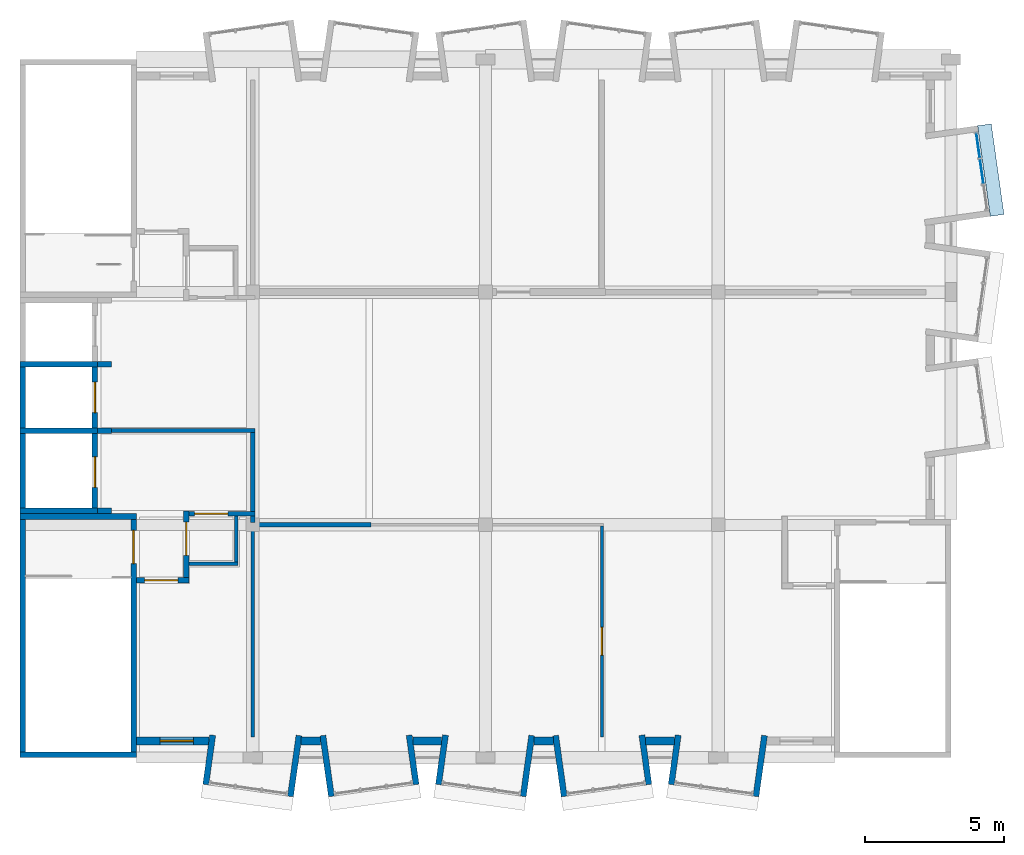
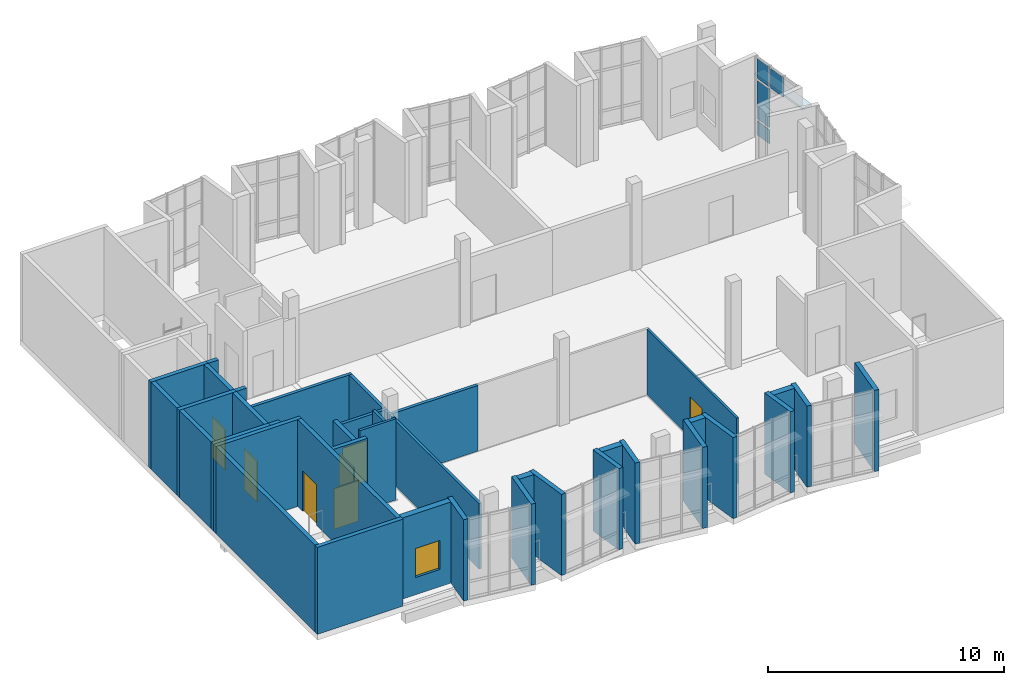
# One storey, part 10 of 15: 40 walls, 7 doors, 5 plates, 1 window, 8 openings, 1 element without a shape of its own.
"""IFC4 building model written with IfcOpenShell, lengths in metres."""

from ifc_helpers import new_model, si_unit, direction, frame, frame_2d, origin, origin_2d, place, context, subcontext, project, spatial, polyline, rectangle, outline, extrude, material, layer, layer_set, type_object, element, fill, aggregate, save


model = new_model("IFC4")

# Units and contexts
model_context = context("Model", 3, precision=1e-05, world=origin(), true_north=direction((0.0, 1.0)))
body_context = subcontext(model_context, "Body", "Model", "MODEL_VIEW")
ifc_project = project(units=[si_unit("LENGTHUNIT", "METRE"), si_unit("AREAUNIT", "SQUARE_METRE"), si_unit("VOLUMEUNIT", "CUBIC_METRE"), si_unit("PLANEANGLEUNIT", "RADIAN"), si_unit("MASSUNIT", "GRAM", prefix="KILO")], contexts=[model_context])

# Site, building, storey
site_placement = place(None, origin())
site = spatial("IfcSite", under=ifc_project, at=site_placement, CompositionType="ELEMENT")
building_placement = place(site_placement, origin())
building = spatial("IfcBuilding", under=site, at=building_placement, Name="Kiln Court Media Centre", CompositionType="ELEMENT")
storey_placement = place(building_placement, frame((0.0, 0.0, 38.10009765625)))
storey = spatial("IfcBuildingStorey", under=building, at=storey_placement, Name="L08", CompositionType="ELEMENT", Elevation=38.10009765625)

# Plate
ifc_material_1 = material(Name="Concrete C30/37", Category="concrete")
ifc_layer_1 = layer(ifc_material_1, 0.1201171875)
ifc_layer_set_1 = layer_set([ifc_layer_1], Name="Concrete C30/37 sunshade hood 120")
plate_type_1 = type_object("IfcPlateType", Name="Concrete C30/37 sunshade hood 120", PredefinedType="USERDEFINED", material=ifc_layer_set_1)
plate_1_placement = place(storey_placement, frame((0.0, 0.0, 3.0)))
element("IfcPlate", 1, at=plate_1_placement, inside=storey, type_object=plate_type_1, Name="SUNSHADE V6A-E-L08-22", ObjectType="SUNSHADE", PredefinedType="USERDEFINED", context=body_context, shape_type="SweptSolid", body=[
    extrude(outline(polyline([(35.01806640625, 19.533203125), (34.55859375, 22.801025390625), (35.0537109375, 22.87060546875), (35.51318359375, 19.602783203125), (35.01806640625, 19.533203125)])), origin(), (0.0, 0.0, 1.0), 0.119873046875),
])

# Curtain wall, plates
ifc_material_2 = material(Name="Aluminium 6063-T6", Category="aluminium")
ifc_layer_2 = layer(ifc_material_2, 0.1201171875)
ifc_layer_set_2 = layer_set([ifc_layer_2], Name="Aluminium unitised bay curtain wall")
curtain_wall_type = type_object("IfcCurtainWallType", Name="Aluminium unitised bay curtain wall", PredefinedType="USERDEFINED", material=ifc_layer_set_2)
curtain_wall_placement = place(storey_placement, origin())
curtain_wall = element("IfcCurtainWall", 2, at=curtain_wall_placement, inside=storey, type_object=curtain_wall_type, Name="BAY V6A-E-L08-22 front", ObjectType="UNITISED CURTAIN WALL", PredefinedType="USERDEFINED")
ifc_material_3 = material(Name="Aluminium insulated spandrel", Category="aluminium")
ifc_layer_3 = layer(ifc_material_3, 0.028076171875)
ifc_layer_set_3 = layer_set([ifc_layer_3], Name="Insulated spandrel panel 28")
plate_type_2 = type_object("IfcPlateType", Name="Insulated spandrel panel 28", PredefinedType="CURTAIN_PANEL", material=ifc_layer_set_3)
plate_2_placement = place(storey_placement, frame((34.578125, 22.08837890625, 0.1201171875), z_axis=(0.0, 0.0, 1.0), x_axis=(-0.139162472554, 0.990269562409, 0.0)))
plate_2 = element("IfcPlate", 3, at=plate_2_placement, type_object=plate_type_2, Name="CW8-03 panel 3.1", PredefinedType="CURTAIN_PANEL", context=body_context, shape_type="SweptSolid", body=[
    extrude(rectangle(XDim=0.86669921875, YDim=0.028076171875, at=origin_2d()), origin(), (0.0, 0.0, 1.0), 0.719970703125),
])
ifc_material_4 = material(Name="Low-E double glazing", Category="glass")
ifc_layer_4 = layer(ifc_material_4, 0.028076171875)
ifc_layer_set_4 = layer_set([ifc_layer_4], Name="Low-E double glazed panel 28")
plate_type_3 = type_object("IfcPlateType", Name="Low-E double glazed panel 28", PredefinedType="CURTAIN_PANEL", material=ifc_layer_set_4)
plate_3_placement = place(storey_placement, frame((34.708984375, 21.15576171875, 3.059814453125), z_axis=(0.0, 0.0, 1.0), x_axis=(-0.139162472554, 0.990269562409, 0.0)))
plate_3 = element("IfcPlate", 4, at=plate_3_placement, type_object=plate_type_3, Name="CW8-03 panel 2.3", PredefinedType="CURTAIN_PANEL", context=body_context, shape_type="SweptSolid", body=[
    extrude(rectangle(XDim=0.896728515625, YDim=0.028076171875, at=origin_2d()), origin(), (0.0, 0.0, 1.0), 1.02001953125),
])
plate_4_placement = place(storey_placement, frame((34.578125, 22.08837890625, 0.9599609375), z_axis=(0.0, 0.0, 1.0), x_axis=(-0.139162472554, 0.990269562409, 0.0)))
plate_4 = element("IfcPlate", 5, at=plate_4_placement, type_object=plate_type_3, Name="CW8-03 panel 3.2", PredefinedType="CURTAIN_PANEL", context=body_context, shape_type="SweptSolid", body=[
    extrude(rectangle(XDim=0.86669921875, YDim=0.028076171875, at=origin_2d()), origin(), (0.0, 0.0, 1.0), 1.97998046875),
])
plate_5_placement = place(storey_placement, frame((34.578125, 22.08837890625, 3.059814453125), z_axis=(0.0, 0.0, 1.0), x_axis=(-0.139162472554, 0.990269562409, 0.0)))
plate_5 = element("IfcPlate", 6, at=plate_5_placement, type_object=plate_type_3, Name="CW8-03 panel 3.3", PredefinedType="CURTAIN_PANEL", context=body_context, shape_type="SweptSolid", body=[
    extrude(rectangle(XDim=0.86669921875, YDim=0.028076171875, at=origin_2d()), origin(), (0.0, 0.0, 1.0), 1.02001953125),
])
aggregate(curtain_wall, [plate_3, plate_2, plate_4, plate_5])

# Wall, opening, door
ifc_material_5 = material(Name="Concrete block masonry M7.5", Category="masonry")
ifc_layer_5 = layer(ifc_material_5, 0.14990234375)
ifc_layer_set_5 = layer_set([ifc_layer_5], Name="Block lobby wall 150 EI 120")
wall_type_1 = type_object("IfcWallType", Name="Block lobby wall 150 EI 120", PredefinedType="SOLIDWALL", material=ifc_layer_set_5)
wall_1_placement = place(storey_placement, frame((6.10009765625, 8.800048828125, 0.0), z_axis=(0.0, 0.0, 1.0), x_axis=(1.0, 0.0, 0.0)))
wall_1 = element("IfcWall", 7, at=wall_1_placement, inside=storey, type_object=wall_type_1, Name="L08 block lobby wall", PredefinedType="SOLIDWALL", context=body_context, shape_type="SweptSolid", body=[
    extrude(rectangle(XDim=2.375, YDim=0.14990234375, at=frame_2d((1.1875, 0.0))), origin(), (0.0, 0.0, 1.0), 3.39990234375),
])
opening_1_placement = place(wall_1_placement, frame((0.199951171875, 0.0, 0.0)))
opening_1 = element("IfcOpeningElement", 8, at=opening_1_placement, cuts=wall_1, Name="Opening D8012", PredefinedType="OPENING", context=body_context, shape_type="SweptSolid", body=[
    extrude(rectangle(XDim=1.199951171875, YDim=2.10009765625, at=frame_2d((0.60009765625, 1.050048828125))), frame((0.0, 0.0849609375, 0.0), z_axis=(0.0, -1.0, 0.0), x_axis=(1.0, 0.0, 0.0)), (0.0, 0.0, 1.0), 0.169921875),
])
ifc_material_6 = material(Name="Steel S275", Category="steel")
door_type_1 = type_object("IfcDoorType", Name="Steel lobby door 1200 x 2100 FD120", OperationType="SINGLE_SWING_LEFT", PredefinedType="DOOR", material=ifc_material_6)
door_1_placement = place(opening_1_placement, origin())
door_1 = element("IfcDoor", 9, at=door_1_placement, inside=storey, type_object=door_type_1, Name="Wheelchair Refuge / Fire-fighting Lift Lobby", OperationType="SINGLE_SWING_RIGHT", OverallHeight=2.10009765625, OverallWidth=1.199951171875, PredefinedType="DOOR", context=body_context, shape_type="SweptSolid", body=[
    extrude(rectangle(XDim=1.199951171875, YDim=2.10009765625, at=frame_2d((0.60009765625, 1.050048828125))), frame((0.0, 0.02490234375, 0.0), z_axis=(0.0, -1.0, 0.0), x_axis=(1.0, 0.0, 0.0)), (0.0, 0.0, 1.0), 0.050048828125),
])
fill(opening_1, door_1)

# Walls
wall_2_placement = place(storey_placement, frame((3.300048828125, 11.800048828125, 0.0), z_axis=(0.0, 0.0, 1.0), x_axis=(1.0, 0.0, 0.0)))
element("IfcWall", 10, at=wall_2_placement, inside=storey, type_object=wall_type_1, Name="L08 block lobby wall", PredefinedType="SOLIDWALL", context=body_context, shape_type="SweptSolid", body=[
    extrude(rectangle(XDim=5.175048828125, YDim=0.14990234375, at=frame_2d((2.58740234375, 0.0))), origin(), (0.0, 0.0, 1.0), 3.39990234375),
])
wall_3_placement = place(storey_placement, frame((8.39990234375, 8.875, 0.0), z_axis=(0.0, 0.0, 1.0), x_axis=(0.0, 1.0, 0.0)))
element("IfcWall", 11, at=wall_3_placement, inside=storey, type_object=wall_type_1, Name="L08 block lobby wall", PredefinedType="SOLIDWALL", context=body_context, shape_type="SweptSolid", body=[
    extrude(rectangle(XDim=2.85009765625, YDim=0.14990234375, at=frame_2d((1.425048828125, 0.0))), origin(), (0.0, 0.0, 1.0), 3.39990234375),
])

# Wall, opening, door
ifc_material_7 = material(Name="Concrete block masonry M10", Category="masonry")
ifc_layer_6 = layer(ifc_material_7, 0.199951171875)
ifc_layer_set_6 = layer_set([ifc_layer_6], Name="Block vestibule wall 200 EI 240")
wall_type_2 = type_object("IfcWallType", Name="Block vestibule wall 200 EI 240", PredefinedType="SOLIDWALL", material=ifc_layer_set_6)
wall_4_placement = place(storey_placement, frame((4.2001953125, 6.39990234375, 0.0), z_axis=(0.0, 0.0, 1.0), x_axis=(1.0, 0.0, 0.0)))
wall_4 = element("IfcWall", 12, at=wall_4_placement, inside=storey, type_object=wall_type_2, Name="L08 block vestibule wall", PredefinedType="SOLIDWALL", context=body_context, shape_type="SweptSolid", body=[
    extrude(rectangle(XDim=1.89990234375, YDim=0.199951171875, at=frame_2d((0.949951171875, 0.0))), origin(), (0.0, 0.0, 1.0), 4.199951171875),
])
opening_2_placement = place(wall_4_placement, frame((0.2998046875, 0.0, 0.0)))
opening_2 = element("IfcOpeningElement", 13, at=opening_2_placement, cuts=wall_4, Name="Opening D8006", PredefinedType="OPENING", context=body_context, shape_type="SweptSolid", body=[
    extrude(rectangle(XDim=1.199951171875, YDim=2.10009765625, at=frame_2d((0.60009765625, 1.050048828125))), frame((0.0, 0.10986328125, 0.0), z_axis=(0.0, -1.0, 0.0), x_axis=(1.0, 0.0, 0.0)), (0.0, 0.0, 1.0), 0.219970703125),
])
ifc_material_8 = material(Name="Steel S275", Category="steel")
door_type_2 = type_object("IfcDoorType", Name="Steel vestibule door 1200 x 2100 FD180", OperationType="SINGLE_SWING_LEFT", PredefinedType="DOOR", material=ifc_material_8)
door_2_placement = place(opening_2_placement, origin())
door_2 = element("IfcDoor", 14, at=door_2_placement, inside=storey, type_object=door_type_2, Name="Toilets and Accessible WC / Stair 1 Vestibule", OperationType="SINGLE_SWING_LEFT", OverallHeight=2.10009765625, OverallWidth=1.199951171875, PredefinedType="DOOR", context=body_context, shape_type="SweptSolid", body=[
    extrude(rectangle(XDim=1.199951171875, YDim=2.10009765625, at=frame_2d((0.60009765625, 1.050048828125))), frame((0.0, 0.02490234375, 0.0), z_axis=(0.0, -1.0, 0.0), x_axis=(1.0, 0.0, 0.0)), (0.0, 0.0, 1.0), 0.050048828125),
])
fill(opening_2, door_2)

wall_5_placement = place(storey_placement, frame((6.0, 6.5, 0.0), z_axis=(0.0, 0.0, 1.0), x_axis=(0.0, 1.0, 0.0)))
wall_5 = element("IfcWall", 15, at=wall_5_placement, inside=storey, type_object=wall_type_2, Name="L08 block vestibule wall", PredefinedType="SOLIDWALL", context=body_context, shape_type="SweptSolid", body=[
    extrude(rectangle(XDim=2.39990234375, YDim=0.199951171875, at=frame_2d((1.199951171875, 0.0))), origin(), (0.0, 0.0, 1.0), 3.599853515625),
])
opening_3_placement = place(wall_5_placement, frame((0.800048828125, 0.0, 0.0)))
opening_3 = element("IfcOpeningElement", 16, at=opening_3_placement, cuts=wall_5, Name="Opening D8007", PredefinedType="OPENING", context=body_context, shape_type="SweptSolid", body=[
    extrude(rectangle(XDim=1.199951171875, YDim=2.10009765625, at=frame_2d((0.60009765625, 1.050048828125))), frame((0.0, 0.10986328125, 0.0), z_axis=(0.0, -1.0, 0.0), x_axis=(1.0, 0.0, 0.0)), (0.0, 0.0, 1.0), 0.219970703125),
])
door_3_placement = place(opening_3_placement, origin())
door_3 = element("IfcDoor", 17, at=door_3_placement, inside=storey, type_object=door_type_2, Name="Stair 1 Vestibule / Wheelchair Refuge", OperationType="SINGLE_SWING_RIGHT", OverallHeight=2.10009765625, OverallWidth=1.199951171875, PredefinedType="DOOR", context=body_context, shape_type="SweptSolid", body=[
    extrude(rectangle(XDim=1.199951171875, YDim=2.10009765625, at=frame_2d((0.60009765625, 1.050048828125))), frame((0.0, 0.02490234375, 0.0), z_axis=(0.0, -1.0, 0.0), x_axis=(1.0, 0.0, 0.0)), (0.0, 0.0, 1.0), 0.050048828125),
])
fill(opening_3, door_3)

# Walls
ifc_material_9 = material(Name="Brick masonry facing leaf with RC backing", Category="masonry")
ifc_layer_7 = layer(ifc_material_9, 0.215087890625)
ifc_layer_set_7 = layer_set([ifc_layer_7], Name="Brick masonry bay cheek wall 215")
wall_type_3 = type_object("IfcWallType", Name="Brick masonry bay cheek wall 215", PredefinedType="SOLIDWALL", material=ifc_layer_set_7)
wall_6_placement = place(storey_placement, frame((6.9560546875, 0.808837890625, 0.0), z_axis=(0.0, 0.0, 1.0), x_axis=(-0.139161311926, -0.990269725511, 0.0)))
element("IfcWall", 18, at=wall_6_placement, inside=storey, type_object=wall_type_3, Name="BAY V6A-S-L08-55 cheek L", PredefinedType="SOLIDWALL", context=body_context, shape_type="SweptSolid", body=[
    extrude(rectangle(XDim=1.800048828125, YDim=0.215087890625, at=frame_2d((0.89990234375, 0.0))), origin(), (0.0, 0.0, 1.0), 4.199951171875),
])
for number, where, z_axis, x_axis, name in (
    (19, (10.0693359375, 0.794921875, 0.0), (0.0, 0.0, 1.0), (-0.139141913905, -0.990272451295, 0.0), "BAY V6A-S-L08-55 cheek R"),
    (20, (10.9306640625, 0.794921875, 0.0), (0.0, 0.0, 1.0), (0.139141913905, -0.990272451295, 0.0), "BAY V6A-S-L08-56 cheek L"),
):
    element("IfcWall", number, at=place(storey_placement, frame(where, z_axis=z_axis, x_axis=x_axis)), inside=storey, type_object=wall_type_3, Name=name, PredefinedType="SOLIDWALL", context=body_context, shape_type="SweptSolid", body=[
        extrude(rectangle(XDim=2.219482421875, YDim=0.215087890625, at=frame_2d((1.10986328125, 0.0))), origin(), (0.0, 0.0, 1.0), 4.199951171875),
    ])
for number, where, z_axis, x_axis, name in (
    (21, (14.0439453125, 0.808837890625, 0.0), (0.0, 0.0, 1.0), (0.139161311926, -0.990269725511, 0.0), "BAY V6A-S-L08-56 cheek R"),
    (22, (15.35595703125, 0.808837890625, 0.0), (0.0, 0.0, 1.0), (-0.139161311926, -0.990269725511, 0.0), "BAY V6A-S-L08-57 cheek L"),
):
    element("IfcWall", number, at=place(storey_placement, frame(where, z_axis=z_axis, x_axis=x_axis)), inside=storey, type_object=wall_type_3, Name=name, PredefinedType="SOLIDWALL", context=body_context, shape_type="SweptSolid", body=[
        extrude(rectangle(XDim=1.800048828125, YDim=0.215087890625, at=frame_2d((0.89990234375, 0.0))), origin(), (0.0, 0.0, 1.0), 4.199951171875),
    ])
wall_7_placement = place(storey_placement, frame((18.469482421875, 0.794921875, 0.0), z_axis=(0.0, 0.0, 1.0), x_axis=(-0.139249775508, -0.99025728981, 0.0)))
element("IfcWall", 23, at=wall_7_placement, inside=storey, type_object=wall_type_3, Name="BAY V6A-S-L08-57 cheek R", PredefinedType="SOLIDWALL", context=body_context, shape_type="SweptSolid", body=[
    extrude(rectangle(XDim=2.2197265625, YDim=0.215087890625, at=frame_2d((1.10986328125, 0.0))), origin(), (0.0, 0.0, 1.0), 4.199951171875),
])
wall_8_placement = place(storey_placement, frame((19.33056640625, 0.794921875, 0.0), z_axis=(0.0, 0.0, 1.0), x_axis=(0.139141913905, -0.990272451295, 0.0)))
element("IfcWall", 24, at=wall_8_placement, inside=storey, type_object=wall_type_3, Name="BAY V6A-S-L08-58 cheek L", PredefinedType="SOLIDWALL", context=body_context, shape_type="SweptSolid", body=[
    extrude(rectangle(XDim=2.219482421875, YDim=0.215087890625, at=frame_2d((1.10986328125, 0.0))), origin(), (0.0, 0.0, 1.0), 4.199951171875),
])
for number, where, z_axis, x_axis, name in (
    (25, (22.444091796875, 0.808837890625, 0.0), (0.0, 0.0, 1.0), (0.139161311926, -0.990269725511, 0.0), "BAY V6A-S-L08-58 cheek R"),
    (26, (23.756103515625, 0.808837890625, 0.0), (0.0, 0.0, 1.0), (-0.139161311926, -0.990269725511, 0.0), "BAY V6A-S-L08-59 cheek L"),
):
    element("IfcWall", number, at=place(storey_placement, frame(where, z_axis=z_axis, x_axis=x_axis)), inside=storey, type_object=wall_type_3, Name=name, PredefinedType="SOLIDWALL", context=body_context, shape_type="SweptSolid", body=[
        extrude(rectangle(XDim=1.800048828125, YDim=0.215087890625, at=frame_2d((0.89990234375, 0.0))), origin(), (0.0, 0.0, 1.0), 4.199951171875),
    ])
wall_9_placement = place(storey_placement, frame((26.869384765625, 0.794921875, 0.0), z_axis=(0.0, 0.0, 1.0), x_axis=(-0.139141913905, -0.990272451295, 0.0)))
element("IfcWall", 27, at=wall_9_placement, inside=storey, type_object=wall_type_3, Name="BAY V6A-S-L08-59 cheek R", PredefinedType="SOLIDWALL", context=body_context, shape_type="SweptSolid", body=[
    extrude(rectangle(XDim=2.219482421875, YDim=0.215087890625, at=frame_2d((1.10986328125, 0.0))), origin(), (0.0, 0.0, 1.0), 4.199951171875),
])

# Wall, opening, window
ifc_material_10 = material(Name="Brick masonry facing leaf with RC backing", Category="masonry")
ifc_layer_8 = layer(ifc_material_10, 0.300048828125)
ifc_layer_set_8 = layer_set([ifc_layer_8], Name="Brick masonry cavity wall 300")
wall_type_4 = type_object("IfcWallType", Name="Brick masonry cavity wall 300", PredefinedType="SOLIDWALL", material=ifc_layer_set_8)
wall_10_placement = place(storey_placement, frame((6.818115234375, 0.60009765625, 0.0), z_axis=(0.0, 0.0, 1.0), x_axis=(-1.0, 0.0, 0.0)))
wall_10 = element("IfcWall", 28, at=wall_10_placement, inside=storey, type_object=wall_type_4, Name="V6A-S facade L08 3039", PredefinedType="SOLIDWALL", context=body_context, shape_type="SweptSolid", body=[
    extrude(rectangle(XDim=2.617919921875, YDim=0.300048828125, at=frame_2d((1.30908203125, 0.0))), origin(), (0.0, 0.0, 1.0), 4.199951171875),
])
opening_4_placement = place(wall_10_placement, frame((0.55908203125, 0.0, 0.89990234375)))
opening_4 = element("IfcOpeningElement", 29, at=opening_4_placement, cuts=wall_10, Name="Opening WN8005", PredefinedType="OPENING", context=body_context, shape_type="SweptSolid", body=[
    extrude(rectangle(XDim=1.199951171875, YDim=1.5, at=frame_2d((0.60009765625, 0.75))), frame((0.0, 0.159912109375, 0.0), z_axis=(0.0, -1.0, 0.0), x_axis=(1.0, 0.0, 0.0)), (0.0, 0.0, 1.0), 0.320068359375),
])
ifc_material_11 = material(Name="Aluminium 6063-T6", Category="aluminium")
window_type = type_object("IfcWindowType", Name="Aluminium window 1200x1500", PartitioningType="DOUBLE_PANEL_VERTICAL", PredefinedType="WINDOW", material=ifc_material_11)
window_placement = place(opening_4_placement, origin())
window = element("IfcWindow", 30, at=window_placement, inside=storey, type_object=window_type, Name="WB window WN8005", OverallHeight=1.5, OverallWidth=1.199951171875, PartitioningType="SINGLE_PANEL", PredefinedType="WINDOW", context=body_context, shape_type="SweptSolid", body=[
    extrude(rectangle(XDim=1.199951171875, YDim=1.5, at=frame_2d((0.60009765625, 0.75))), frame((0.0, 0.030029296875, 0.0), z_axis=(0.0, -1.0, 0.0), x_axis=(1.0, 0.0, 0.0)), (0.0, 0.0, 1.0), 0.06005859375),
])
fill(opening_4, window)

# Walls
wall_11_placement = place(storey_placement, frame((10.849609375, 0.60009765625, 0.0), z_axis=(0.0, 0.0, 1.0), x_axis=(-1.0, 0.0, 0.0)))
element("IfcWall", 31, at=wall_11_placement, inside=storey, type_object=wall_type_4, Name="V6A-S facade L08 3040", PredefinedType="SOLIDWALL", context=body_context, shape_type="SweptSolid", body=[
    extrude(rectangle(XDim=0.69921875, YDim=0.300048828125, at=frame_2d((0.349609375, 0.0))), origin(), (0.0, 0.0, 1.0), 4.199951171875),
])
wall_12_placement = place(storey_placement, frame((15.218017578125, 0.60009765625, 0.0), z_axis=(0.0, 0.0, 1.0), x_axis=(-1.0, 0.0, 0.0)))
element("IfcWall", 32, at=wall_12_placement, inside=storey, type_object=wall_type_4, Name="V6A-S facade L08 3041", PredefinedType="SOLIDWALL", context=body_context, shape_type="SweptSolid", body=[
    extrude(rectangle(XDim=1.0361328125, YDim=0.300048828125, at=frame_2d((0.51806640625, 0.0))), origin(), (0.0, 0.0, 1.0), 4.199951171875),
])
wall_13_placement = place(storey_placement, frame((19.24951171875, 0.60009765625, 0.0), z_axis=(0.0, 0.0, 1.0), x_axis=(-1.0, 0.0, 0.0)))
element("IfcWall", 33, at=wall_13_placement, inside=storey, type_object=wall_type_4, Name="V6A-S facade L08 3042", PredefinedType="SOLIDWALL", context=body_context, shape_type="SweptSolid", body=[
    extrude(rectangle(XDim=0.698974609375, YDim=0.300048828125, at=frame_2d((0.349609375, 0.0))), origin(), (0.0, 0.0, 1.0), 4.199951171875),
])
wall_14_placement = place(storey_placement, frame((23.6181640625, 0.60009765625, 0.0), z_axis=(0.0, 0.0, 1.0), x_axis=(-1.0, 0.0, 0.0)))
element("IfcWall", 34, at=wall_14_placement, inside=storey, type_object=wall_type_4, Name="V6A-S facade L08 3043", PredefinedType="SOLIDWALL", context=body_context, shape_type="SweptSolid", body=[
    extrude(rectangle(XDim=1.036376953125, YDim=0.300048828125, at=frame_2d((0.51806640625, 0.0))), origin(), (0.0, 0.0, 1.0), 4.199951171875),
])
ifc_material_12 = material(Name="Concrete C40/50", Category="concrete")
ifc_layer_9 = layer(ifc_material_12, 0.199951171875)
ifc_layer_set_9 = layer_set([ifc_layer_9], Name="Concrete C40/50 shear wall 200")
wall_type_5 = type_object("IfcWallType", Name="Concrete C40/50 shear wall 200", PredefinedType="SHEAR", material=ifc_layer_set_9)
for number, where, z_axis, x_axis, name in (
    (35, (4.199951171875, 0.10009765625, 0.0), (0.0, 0.0, 1.0), (-1.0, 0.0, 0.0), "L08-W-1000"),
    (36, (0.00048828125, 8.699951171875, 0.0), (0.0, 0.0, 1.0), (1.0, 0.0, 0.0), "L08-W-1001"),
):
    element("IfcWall", number, at=place(storey_placement, frame(where, z_axis=z_axis, x_axis=x_axis)), inside=storey, type_object=wall_type_5, Name=name, PredefinedType="SHEAR", context=body_context, shape_type="SweptSolid", body=[
        extrude(rectangle(XDim=4.199462890625, YDim=0.199951171875, at=frame_2d((2.099609375, 0.0))), origin(), (0.0, 0.0, 1.0), 4.5),
    ])
wall_15_placement = place(storey_placement, frame((0.100341796875, 0.199951171875, 0.0), z_axis=(0.0, 0.0, 1.0), x_axis=(0.0, 1.0, 0.0)))
element("IfcWall", 37, at=wall_15_placement, inside=storey, type_object=wall_type_5, Name="L08-W-1002", PredefinedType="SHEAR", context=body_context, shape_type="SweptSolid", body=[
    extrude(rectangle(XDim=8.400146484375, YDim=0.199951171875, at=frame_2d((4.2001953125, 0.0))), origin(), (0.0, 0.0, 1.0), 4.5),
])

# Wall, opening, door
wall_16_placement = place(storey_placement, frame((4.10009765625, 8.60009765625, 0.0), z_axis=(0.0, 0.0, 1.0), x_axis=(0.0, -1.0, 0.0)))
wall_16 = element("IfcWall", 38, at=wall_16_placement, inside=storey, type_object=wall_type_5, Name="L08-W-1003", PredefinedType="SHEAR", context=body_context, shape_type="SweptSolid", body=[
    extrude(rectangle(XDim=8.400146484375, YDim=0.199951171875, at=frame_2d((4.2001953125, 0.0))), origin(), (0.0, 0.0, 1.0), 4.5),
])
opening_5_placement = place(wall_16_placement, frame((0.400146484375, 0.0, 0.0)))
opening_5 = element("IfcOpeningElement", 39, at=opening_5_placement, cuts=wall_16, Name="Opening D8001", PredefinedType="OPENING", context=body_context, shape_type="SweptSolid", body=[
    extrude(rectangle(XDim=1.199951171875, YDim=2.10009765625, at=frame_2d((0.60009765625, 1.050048828125))), frame((0.0, 0.10986328125, 0.0), z_axis=(0.0, -1.0, 0.0), x_axis=(1.0, 0.0, 0.0)), (0.0, 0.0, 1.0), 0.219970703125),
])
ifc_material_13 = material(Name="Steel S275", Category="steel")
door_type_3 = type_object("IfcDoorType", Name="Steel stair door 1200 x 2100 FD180", OperationType="SINGLE_SWING_LEFT", PredefinedType="DOOR", material=ifc_material_13)
door_4_placement = place(opening_5_placement, origin())
door_4 = element("IfcDoor", 40, at=door_4_placement, inside=storey, type_object=door_type_3, Name="Stair 1 / Stair 1 Vestibule", OperationType="SINGLE_SWING_RIGHT", OverallHeight=2.10009765625, OverallWidth=1.199951171875, PredefinedType="DOOR", context=body_context, shape_type="SweptSolid", body=[
    extrude(rectangle(XDim=1.199951171875, YDim=2.10009765625, at=frame_2d((0.60009765625, 1.050048828125))), frame((0.0, 0.02490234375, 0.0), z_axis=(0.0, -1.0, 0.0), x_axis=(1.0, 0.0, 0.0)), (0.0, 0.0, 1.0), 0.050048828125),
])
fill(opening_5, door_4)

# Walls
for number, where, z_axis, x_axis, name in (
    (41, (2.800048828125, 8.89990234375, 0.0), (0.0, 0.0, 1.0), (-1.0, 0.0, 0.0), "L08-W-1012"),
    (42, (0.00048828125, 11.800048828125, 0.0), (0.0, 0.0, 1.0), (1.0, 0.0, 0.0), "L08-W-1013"),
):
    element("IfcWall", number, at=place(storey_placement, frame(where, z_axis=z_axis, x_axis=x_axis)), inside=storey, type_object=wall_type_5, Name=name, PredefinedType="SHEAR", context=body_context, shape_type="SweptSolid", body=[
        extrude(rectangle(XDim=2.799560546875, YDim=0.199951171875, at=frame_2d((1.39990234375, 0.0))), origin(), (0.0, 0.0, 1.0), 4.5),
    ])
wall_17_placement = place(storey_placement, frame((0.100341796875, 9.0, 0.0), z_axis=(0.0, 0.0, 1.0), x_axis=(0.0, 1.0, 0.0)))
element("IfcWall", 43, at=wall_17_placement, inside=storey, type_object=wall_type_5, Name="L08-W-1014", PredefinedType="SHEAR", context=body_context, shape_type="SweptSolid", body=[
    extrude(rectangle(XDim=2.699951171875, YDim=0.199951171875, at=frame_2d((1.35009765625, 0.0))), origin(), (0.0, 0.0, 1.0), 4.5),
])

# Wall, opening, door
wall_18_placement = place(storey_placement, frame((2.699951171875, 11.699951171875, 0.0), z_axis=(0.0, 0.0, 1.0), x_axis=(0.0, -1.0, 0.0)))
wall_18 = element("IfcWall", 44, at=wall_18_placement, inside=storey, type_object=wall_type_5, Name="L08-W-1015", PredefinedType="SHEAR", context=body_context, shape_type="SweptSolid", body=[
    extrude(rectangle(XDim=2.699951171875, YDim=0.199951171875, at=frame_2d((1.35009765625, 0.0))), origin(), (0.0, 0.0, 1.0), 4.5),
])
opening_6_placement = place(wall_18_placement, frame((0.85009765625, 0.0, 0.0)))
opening_6 = element("IfcOpeningElement", 45, at=opening_6_placement, cuts=wall_18, Name="Opening LD801", PredefinedType="OPENING", context=body_context, shape_type="SweptSolid", body=[
    extrude(rectangle(XDim=1.10009765625, YDim=2.10009765625, at=frame_2d((0.550048828125, 1.050048828125))), frame((0.0, 0.10986328125, 0.0), z_axis=(0.0, -1.0, 0.0), x_axis=(1.0, 0.0, 0.0)), (0.0, 0.0, 1.0), 0.219970703125),
])
ifc_material_14 = material(Name="Stainless steel", Category="steel")
door_type_4 = type_object("IfcDoorType", Name="Firefighting lift landing door 1100 x 2100 FD120", OperationType="SLIDING_TO_LEFT", PredefinedType="DOOR", material=ifc_material_14)
door_5_placement = place(opening_6_placement, origin())
door_5 = element("IfcDoor", 46, at=door_5_placement, inside=storey, type_object=door_type_4, Name="LF-01 landing door L08", OperationType="SLIDING_TO_LEFT", OverallHeight=2.10009765625, OverallWidth=1.10009765625, PredefinedType="DOOR", context=body_context, shape_type="SweptSolid", body=[
    extrude(rectangle(XDim=1.10009765625, YDim=2.10009765625, at=frame_2d((0.550048828125, 1.050048828125))), frame((0.0, 0.02490234375, 0.0), z_axis=(0.0, -1.0, 0.0), x_axis=(1.0, 0.0, 0.0)), (0.0, 0.0, 1.0), 0.050048828125),
])
fill(opening_6, door_5)

# Walls
wall_19_placement = place(storey_placement, frame((0.00048828125, 14.199951171875, 0.0), z_axis=(0.0, 0.0, 1.0), x_axis=(1.0, 0.0, 0.0)))
element("IfcWall", 47, at=wall_19_placement, inside=storey, type_object=wall_type_5, Name="L08-W-1016", PredefinedType="SHEAR", context=body_context, shape_type="SweptSolid", body=[
    extrude(rectangle(XDim=2.799560546875, YDim=0.199951171875, at=frame_2d((1.39990234375, 0.0))), origin(), (0.0, 0.0, 1.0), 4.5),
])
wall_20_placement = place(storey_placement, frame((0.100341796875, 11.89990234375, 0.0), z_axis=(0.0, 0.0, 1.0), x_axis=(0.0, 1.0, 0.0)))
element("IfcWall", 48, at=wall_20_placement, inside=storey, type_object=wall_type_5, Name="L08-W-1017", PredefinedType="SHEAR", context=body_context, shape_type="SweptSolid", body=[
    extrude(rectangle(XDim=2.2001953125, YDim=0.199951171875, at=frame_2d((1.10009765625, 0.0))), origin(), (0.0, 0.0, 1.0), 4.5),
])

# Wall, opening, door
wall_21_placement = place(storey_placement, frame((2.699951171875, 14.10009765625, 0.0), z_axis=(0.0, 0.0, 1.0), x_axis=(0.0, -1.0, 0.0)))
wall_21 = element("IfcWall", 49, at=wall_21_placement, inside=storey, type_object=wall_type_5, Name="L08-W-1018", PredefinedType="SHEAR", context=body_context, shape_type="SweptSolid", body=[
    extrude(rectangle(XDim=2.2001953125, YDim=0.199951171875, at=frame_2d((1.10009765625, 0.0))), origin(), (0.0, 0.0, 1.0), 4.5),
])
opening_7_placement = place(wall_21_placement, frame((0.550048828125, 0.0, 0.0)))
opening_7 = element("IfcOpeningElement", 50, at=opening_7_placement, cuts=wall_21, Name="Opening LD802", PredefinedType="OPENING", context=body_context, shape_type="SweptSolid", body=[
    extrude(rectangle(XDim=1.10009765625, YDim=2.10009765625, at=frame_2d((0.550048828125, 1.050048828125))), frame((0.0, 0.10986328125, 0.0), z_axis=(0.0, -1.0, 0.0), x_axis=(1.0, 0.0, 0.0)), (0.0, 0.0, 1.0), 0.219970703125),
])
ifc_material_15 = material(Name="Stainless steel", Category="steel")
door_type_5 = type_object("IfcDoorType", Name="Lift landing door 1100 x 2100 FD120", OperationType="SLIDING_TO_LEFT", PredefinedType="DOOR", material=ifc_material_15)
door_6_placement = place(opening_7_placement, origin())
door_6 = element("IfcDoor", 51, at=door_6_placement, inside=storey, type_object=door_type_5, Name="LF-02 landing door L08", OperationType="SLIDING_TO_LEFT", OverallHeight=2.10009765625, OverallWidth=1.10009765625, PredefinedType="DOOR", context=body_context, shape_type="SweptSolid", body=[
    extrude(rectangle(XDim=1.10009765625, YDim=2.10009765625, at=frame_2d((0.550048828125, 1.050048828125))), frame((0.0, 0.02490234375, 0.0), z_axis=(0.0, -1.0, 0.0), x_axis=(1.0, 0.0, 0.0)), (0.0, 0.0, 1.0), 0.050048828125),
])
fill(opening_7, door_6)

# Walls
for number, where, z_axis, x_axis, name in (
    (52, (3.300048828125, 8.89990234375, 0.0), (0.0, 0.0, 1.0), (-1.0, 0.0, 0.0), "L08-W-1022"),
    (53, (2.800048828125, 11.800048828125, 0.0), (0.0, 0.0, 1.0), (1.0, 0.0, 0.0), "L08-W-1023"),
    (54, (2.800048828125, 14.199951171875, 0.0), (0.0, 0.0, 1.0), (1.0, 0.0, 0.0), "L08-W-1024"),
):
    element("IfcWall", number, at=place(storey_placement, frame(where, z_axis=z_axis, x_axis=x_axis)), inside=storey, type_object=wall_type_5, Name=name, PredefinedType="SHEAR", context=body_context, shape_type="SweptSolid", body=[
        extrude(rectangle(XDim=0.5, YDim=0.199951171875, at=frame_2d((0.25, 0.0))), origin(), (0.0, 0.0, 1.0), 4.5),
    ])
ifc_material_16 = material(Name="Gypsum plasterboard", Category="gypsum")
ifc_layer_10 = layer(ifc_material_16, 0.14990234375)
ifc_layer_set_10 = layer_set([ifc_layer_10], Name="Gypsum corridor partition 150 EI 60")
wall_type_6 = type_object("IfcWallType", Name="Gypsum corridor partition 150 EI 60", PredefinedType="PARTITIONING", material=ifc_layer_set_10)
wall_22_placement = place(storey_placement, frame((8.324951171875, 8.39990234375, 0.0), z_axis=(0.0, 0.0, 1.0), x_axis=(1.0, 0.0, 0.0)))
element("IfcWall", 55, at=wall_22_placement, inside=storey, type_object=wall_type_6, Name="L08 gypsum corridor partition", PredefinedType="PARTITIONING", context=body_context, shape_type="SweptSolid", body=[
    extrude(rectangle(XDim=4.35009765625, YDim=0.14990234375, at=frame_2d((2.175048828125, 0.0))), origin(), (0.0, 0.0, 1.0), 3.39990234375),
])
wall_23_placement = place(storey_placement, frame((8.39990234375, 8.47509765625, 0.0), z_axis=(0.0, 0.0, 1.0), x_axis=(0.0, 1.0, 0.0)))
element("IfcWall", 56, at=wall_23_placement, inside=storey, type_object=wall_type_6, Name="L08 gypsum corridor partition", PredefinedType="PARTITIONING", context=body_context, shape_type="SweptSolid", body=[
    extrude(rectangle(XDim=0.25, YDim=0.14990234375, at=frame_2d((0.125, 0.0))), origin(), (0.0, 0.0, 1.0), 3.39990234375),
])

# Wall, opening, door
ifc_material_17 = material(Name="Gypsum plasterboard", Category="gypsum")
ifc_layer_11 = layer(ifc_material_17, 0.10009765625)
ifc_layer_set_11 = layer_set([ifc_layer_11], Name="Gypsum stud partition 100")
wall_type_7 = type_object("IfcWallType", Name="Gypsum stud partition 100", PredefinedType="PARTITIONING", material=ifc_layer_set_11)
wall_24_placement = place(storey_placement, frame((21.0, 0.75, 0.0), z_axis=(0.0, 0.0, 1.0), x_axis=(0.0, 1.0, 0.0)))
wall_24 = element("IfcWall", 57, at=wall_24_placement, inside=storey, type_object=wall_type_7, Name="L08 gypsum stud partition", PredefinedType="PARTITIONING", context=body_context, shape_type="SweptSolid", body=[
    extrude(rectangle(XDim=7.60009765625, YDim=0.10009765625, at=frame_2d((3.800048828125, 0.0))), origin(), (0.0, 0.0, 1.0), 3.39990234375),
])
opening_8_placement = place(wall_24_placement, frame((2.949951171875, 0.0, 0.0)))
opening_8 = element("IfcOpeningElement", 58, at=opening_8_placement, cuts=wall_24, Name="Opening D8011", PredefinedType="OPENING", context=body_context, shape_type="SweptSolid", body=[
    extrude(rectangle(XDim=1.0, YDim=2.10009765625, at=frame_2d((0.5, 1.050048828125))), frame((0.0, 0.06005859375, 0.0), z_axis=(0.0, -1.0, 0.0), x_axis=(1.0, 0.0, 0.0)), (0.0, 0.0, 1.0), 0.1201171875),
])
ifc_material_18 = material(Name="Timber", Category="wood")
door_type_6 = type_object("IfcDoorType", Name="Timber door 1000 x 2100", OperationType="SINGLE_SWING_LEFT", PredefinedType="DOOR", material=ifc_material_18)
door_7_placement = place(opening_8_placement, origin())
door_7 = element("IfcDoor", 59, at=door_7_placement, inside=storey, type_object=door_type_6, Name="Board Suite / Club Lounge", OperationType="SINGLE_SWING_RIGHT", OverallHeight=2.10009765625, OverallWidth=1.0, PredefinedType="DOOR", context=body_context, shape_type="SweptSolid", body=[
    extrude(rectangle(XDim=1.0, YDim=2.10009765625, at=frame_2d((0.5, 1.050048828125))), frame((0.0, 0.02490234375, 0.0), z_axis=(0.0, -1.0, 0.0), x_axis=(1.0, 0.0, 0.0)), (0.0, 0.0, 1.0), 0.050048828125),
])
fill(opening_8, door_7)

# Walls
ifc_material_19 = material(Name="Gypsum plasterboard", Category="gypsum")
ifc_layer_12 = layer(ifc_material_19, 0.125)
ifc_layer_set_12 = layer_set([ifc_layer_12], Name="Gypsum wet-area partition 125")
wall_type_8 = type_object("IfcWallType", Name="Gypsum wet-area partition 125", PredefinedType="PARTITIONING", material=ifc_layer_set_12)
wall_25_placement = place(storey_placement, frame((6.10009765625, 7.0, 0.0), z_axis=(0.0, 0.0, 1.0), x_axis=(1.0, 0.0, 0.0)))
element("IfcWall", 60, at=wall_25_placement, inside=storey, type_object=wall_type_8, Name="L08 gypsum wet-area partition", PredefinedType="PARTITIONING", context=body_context, shape_type="SweptSolid", body=[
    extrude(rectangle(XDim=1.762451171875, YDim=0.125, at=frame_2d((0.88134765625, 0.0))), origin(), (0.0, 0.0, 1.0), 4.199951171875),
])
wall_26_placement = place(storey_placement, frame((7.800048828125, 7.0625, 0.0), z_axis=(0.0, 0.0, 1.0), x_axis=(0.0, 1.0, 0.0)))
element("IfcWall", 61, at=wall_26_placement, inside=storey, type_object=wall_type_8, Name="L08 gypsum wet-area partition", PredefinedType="PARTITIONING", context=body_context, shape_type="SweptSolid", body=[
    extrude(rectangle(XDim=1.66259765625, YDim=0.125, at=frame_2d((0.831298828125, 0.0))), origin(), (0.0, 0.0, 1.0), 3.599853515625),
])
wall_27_placement = place(storey_placement, frame((8.39990234375, 0.75, 0.0), z_axis=(0.0, 0.0, 1.0), x_axis=(0.0, 1.0, 0.0)))
element("IfcWall", 62, at=wall_27_placement, inside=storey, type_object=wall_type_8, Name="L08 gypsum wet-area partition", PredefinedType="PARTITIONING", context=body_context, shape_type="SweptSolid", body=[
    extrude(rectangle(XDim=7.574951171875, YDim=0.125, at=frame_2d((3.78759765625, 0.0))), origin(), (0.0, 0.0, 1.0), 3.39990234375),
])

save(model, "model.ifc")
